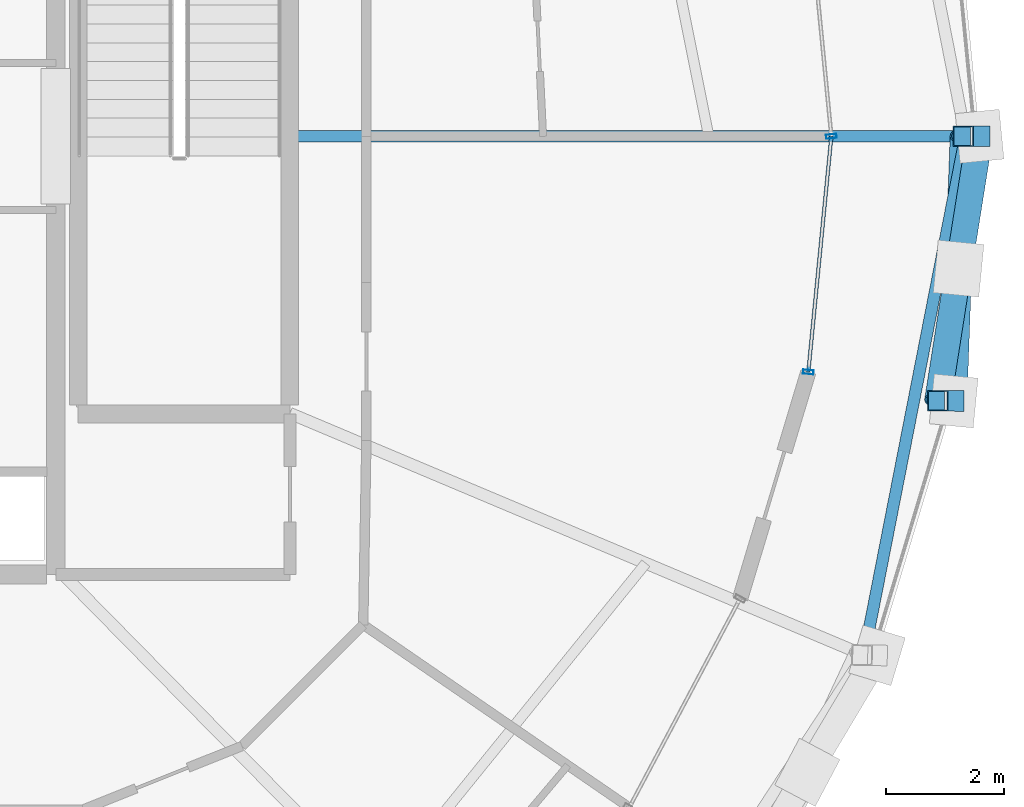
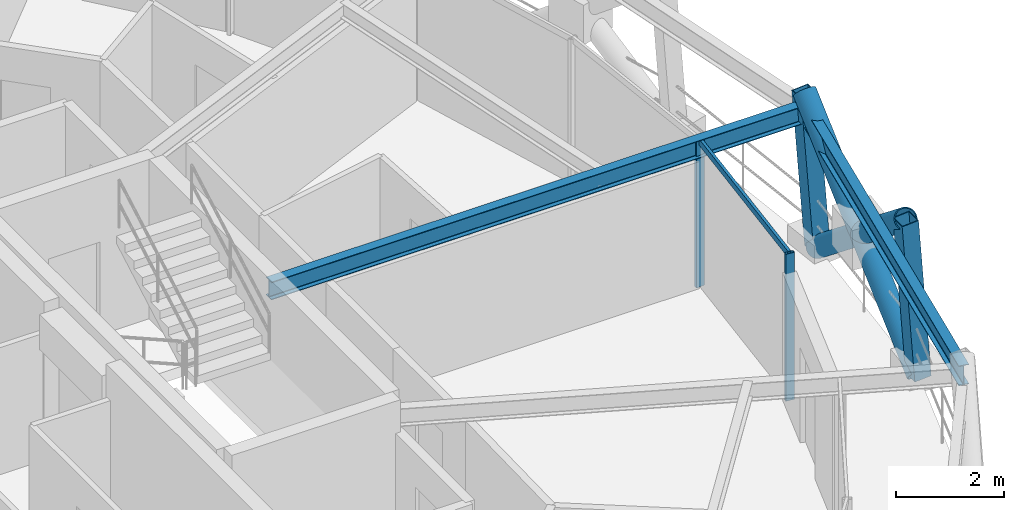
# One storey, part 5 of 15: 8 members, 2 beams, 1 element without a shape of its own.
"""IFC4 building model written with IfcOpenShell, lengths in metres."""

from ifc_helpers import new_model, si_unit, direction, frame, origin, origin_2d, place, context, subcontext, project, spatial, hollow_rectangle, hollow_circle, i_section, extrude, material, layer, layer_set, material_profile, profile_set, type_object, element, aggregate, save


model = new_model("IFC4")

# Units and contexts
model_context = context("Model", 3, precision=1e-05, world=origin(), true_north=direction((0.0, 1.0)))
body_context = subcontext(model_context, "Body", "Model", "MODEL_VIEW")
ifc_project = project(units=[si_unit("LENGTHUNIT", "METRE"), si_unit("AREAUNIT", "SQUARE_METRE"), si_unit("VOLUMEUNIT", "CUBIC_METRE"), si_unit("PLANEANGLEUNIT", "RADIAN"), si_unit("MASSUNIT", "GRAM", prefix="KILO")], contexts=[model_context])

# Site, building, storey
site_placement = place(None, origin())
site = spatial("IfcSite", under=ifc_project, at=site_placement, CompositionType="ELEMENT")
building_placement = place(site_placement, origin())
building = spatial("IfcBuilding", under=site, at=building_placement, Name="Veldorina Hangang Commons", CompositionType="ELEMENT")
storey_placement = place(building_placement, frame((0.0, 0.0, 250.800048828125)))
storey = spatial("IfcBuildingStorey", under=building, at=storey_placement, Name="L65", CompositionType="ELEMENT", Elevation=250.800048828125)

# Beams
ifc_material_1 = material(Name="Steel SM355-TMC", Category="steel")
ifc_material_profile_1 = material_profile(ifc_material_1, i_section(OverallWidth=0.199951171875, OverallDepth=0.39990234375, WebThickness=0.008056640625, FlangeThickness=0.012939453125, FilletRadius=0.012939453125, at=origin_2d()), Name="H-400x200x8x13")
ifc_profile_set_1 = profile_set([ifc_material_profile_1], Name="Steel SM355-TMC")
beam_type_1 = type_object("IfcBeamType", Name="BM-FG400", PredefinedType="BEAM", material=ifc_profile_set_1)
beam_1_placement = place(storey_placement, frame((43.179931640625, 24.0, 3.159912109375), z_axis=(1.0, 0.0, 0.0), x_axis=(0.0, 1.0, 0.0)))
element("IfcBeam", 1, at=beam_1_placement, inside=storey, type_object=beam_type_1, Name="L65 radial floor girder 01", PredefinedType="BEAM", context=body_context, shape_type="SweptSolid", body=[
    extrude(i_section(OverallWidth=0.199951171875, OverallDepth=0.39990234375, WebThickness=0.008056640625, FlangeThickness=0.012939453125, FilletRadius=0.012939453125, at=origin_2d()), origin(), (0.0, 0.0, 1.0), 11.4853515625),
])
ifc_material_profile_2 = material_profile(ifc_material_1, i_section(OverallWidth=0.199951171875, OverallDepth=0.449951171875, WebThickness=0.009033203125, FlangeThickness=0.013916015625, FilletRadius=0.01611328125, at=origin_2d()), Name="H-450x200x9x14")
ifc_profile_set_2 = profile_set([ifc_material_profile_2], Name="Steel SM355-TMC")
beam_type_2 = type_object("IfcBeamType", Name="BM-RB450", PredefinedType="BEAM", material=ifc_profile_set_2)
beam_2_placement = place(storey_placement, frame((52.93994140625, 15.180419921875, 3.135009765625), z_axis=(0.19198714763, 0.981397439952, 0.0), x_axis=(-0.981397439952, 0.19198714763, 0.0)))
element("IfcBeam", 2, at=beam_2_placement, inside=storey, type_object=beam_type_2, Name="L65 perimeter hoop ring beam 30", PredefinedType="BEAM", context=body_context, shape_type="SweptSolid", body=[
    extrude(i_section(OverallWidth=0.199951171875, OverallDepth=0.449951171875, WebThickness=0.009033203125, FlangeThickness=0.013916015625, FilletRadius=0.01611328125, at=origin_2d()), origin(), (0.0, 0.0, 1.0), 8.98681640625),
])

# Curtain wall, members
ifc_material_2 = material(Name="Glass Low-E Selective", Category="glass")
ifc_layer = layer(ifc_material_2, 0.179931640625)
ifc_layer_set = layer_set([ifc_layer], Name="Glass Low-E Selective")
curtain_wall_type = type_object("IfcCurtainWallType", Name="CW-SYS-Z3", PredefinedType="NOTDEFINED", material=ifc_layer_set)
curtain_wall_placement = place(storey_placement, origin())
curtain_wall = element("IfcCurtainWall", 3, at=curtain_wall_placement, inside=storey, type_object=curtain_wall_type, Name="L65 unitised curtain wall CW-L65-R2", PredefinedType="NOTDEFINED")
ifc_material_3 = material(Name="Aluminium Anodized AA6063-T6", Category="aluminium")
ifc_material_profile_3 = material_profile(ifc_material_3, hollow_rectangle(XDim=0.070068359375, YDim=0.179931640625, WallThickness=0.00390625, at=origin_2d()), Name="ALU-RHS-180x70x4")
ifc_profile_set_3 = profile_set([ifc_material_profile_3], Name="Aluminium Anodized AA6063-T6")
member_type_1 = type_object("IfcMemberType", Name="CW-MUL-180", PredefinedType="MULLION", material=ifc_profile_set_3)
member_1_placement = place(storey_placement, frame((51.993408203125, 19.993408203125, 0.0), z_axis=(0.0, 0.0, 1.0), x_axis=(0.097304976039, 0.995254611463, 0.0)))
member_1 = element("IfcMember", 4, at=member_1_placement, type_object=member_type_1, Name="CW-L65-R2 vertical mullion 1", PredefinedType="MULLION", context=body_context, shape_type="SweptSolid", body=[
    extrude(hollow_rectangle(XDim=0.070068359375, YDim=0.179931640625, WallThickness=0.00390625, at=origin_2d()), origin(), (0.0, 0.0, 1.0), 3.320068359375),
])
member_2_placement = place(storey_placement, frame((52.38525390625, 24.0, 0.0), z_axis=(0.0, 0.0, 1.0), x_axis=(-0.097304976039, 0.995254611463, 0.0)))
member_2 = element("IfcMember", 5, at=member_2_placement, type_object=member_type_1, Name="CW-L65-R2 vertical mullion 2", PredefinedType="MULLION", context=body_context, shape_type="SweptSolid", body=[
    extrude(hollow_rectangle(XDim=0.070068359375, YDim=0.179931640625, WallThickness=0.00390625, at=origin_2d()), origin(), (0.0, 0.0, 1.0), 3.320068359375),
])
ifc_material_profile_4 = material_profile(ifc_material_3, hollow_rectangle(XDim=0.06005859375, YDim=0.139892578125, WallThickness=0.00341796875, at=origin_2d()), Name="ALU-RHS-140x60x3.5")
ifc_profile_set_4 = profile_set([ifc_material_profile_4], Name="Aluminium Anodized AA6063-T6")
member_type_2 = type_object("IfcMemberType", Name="CW-TRN-140", PredefinedType="USERDEFINED", material=ifc_profile_set_4)
member_3_placement = place(storey_placement, frame((51.993408203125, 19.993408203125, 3.280029296875), z_axis=(0.097335860355, 0.995251591453, 0.0), x_axis=(-0.995251591453, 0.097335860355, 0.0)))
member_3 = element("IfcMember", 6, at=member_3_placement, type_object=member_type_2, Name="CW-L65-R2 facet 1 transom 1", ObjectType="TRANSOM", PredefinedType="USERDEFINED", context=body_context, shape_type="SweptSolid", body=[
    extrude(hollow_rectangle(XDim=0.06005859375, YDim=0.139892578125, WallThickness=0.00341796875, at=origin_2d()), origin(), (0.0, 0.0, 1.0), 4.025634765625),
])
aggregate(curtain_wall, [member_1, member_2, member_3])

# Members
ifc_material_profile_5 = material_profile(ifc_material_1, hollow_circle(Radius=0.22509765625, WallThickness=0.02197265625, at=origin_2d()), Name="CHS-450x22")
ifc_profile_set_5 = profile_set([ifc_material_profile_5], Name="Steel SM355-TMC")
member_type_3 = type_object("IfcMemberType", Name="DG-CHS450", PredefinedType="BRACE", material=ifc_profile_set_5)
member_4_placement = place(storey_placement, frame((54.465087890625, 19.501708984375, 0.0), z_axis=(0.028549330133, 0.780447192431, 0.624569544227), x_axis=(-0.999331595742, 0.036556281983, 0.0)))
element("IfcMember", 7, at=member_4_placement, inside=storey, type_object=member_type_3, Name="L65 continuous perimeter diagrid brace 31", PredefinedType="BRACE", context=body_context, shape_type="SweptSolid", body=[
    extrude(hollow_circle(Radius=0.22509765625, WallThickness=0.02197265625, at=origin_2d()), origin(), (0.0, 0.0, 1.0), 5.763671875),
])
member_5_placement = place(storey_placement, frame((54.9052734375, 24.0, 0.0), z_axis=(-0.123300472375, -0.77462302222, 0.620287164916), x_axis=(0.987567446504, -0.157195860649, 0.0)))
element("IfcMember", 8, at=member_5_placement, inside=storey, type_object=member_type_3, Name="L65 split perimeter diagrid lower brace 00", PredefinedType="BRACE", context=body_context, shape_type="SweptSolid", body=[
    extrude(hollow_circle(Radius=0.22509765625, WallThickness=0.02197265625, at=origin_2d()), origin(), (0.0, 0.0, 1.0), 2.90283203125),
])
member_6_placement = place(storey_placement, frame((54.54736328125, 21.75146484375, 1.800537109375), z_axis=(-0.121541040245, -0.774866216408, 0.620330655543), x_axis=(0.987920814912, -0.154959554283, 0.0)))
element("IfcMember", 9, at=member_6_placement, inside=storey, type_object=member_type_3, Name="L65 split perimeter diagrid upper brace 00", PredefinedType="BRACE", context=body_context, shape_type="SweptSolid", body=[
    extrude(hollow_circle(Radius=0.22509765625, WallThickness=0.02197265625, at=origin_2d()), origin(), (0.0, 0.0, 1.0), 2.900634765625),
])
ifc_material_profile_6 = material_profile(ifc_material_1, hollow_rectangle(XDim=0.35009765625, YDim=0.35009765625, WallThickness=0.01611328125, at=origin_2d()), Name="SHS-350x350x16")
ifc_profile_set_6 = profile_set([ifc_material_profile_6], Name="Steel SM355-TMC")
member_type_4 = type_object("IfcMemberType", Name="STR-SHS350", PredefinedType="STRUT", material=ifc_profile_set_6)
member_7_placement = place(storey_placement, frame((54.9052734375, 24.0, 0.0), z_axis=(-0.076344861449, 0.0, 0.997081472163), x_axis=(0.0, -1.0, 0.0)))
element("IfcMember", 10, at=member_7_placement, inside=storey, type_object=member_type_4, Name="L65 perimeter ring node post 00", PredefinedType="STRUT", context=body_context, shape_type="SweptSolid", body=[
    extrude(hollow_rectangle(XDim=0.35009765625, YDim=0.35009765625, WallThickness=0.01611328125, at=origin_2d()), origin(), (0.0, 0.0, 1.0), 3.6103515625),
])
member_8_placement = place(storey_placement, frame((54.465087890625, 19.501708984375, 0.0), z_axis=(-0.074865591518, 0.000608663346, 0.997193448001), x_axis=(-0.008129812622, -0.999966952527, 0.0)))
element("IfcMember", 11, at=member_8_placement, inside=storey, type_object=member_type_4, Name="L65 perimeter ring node post 31", PredefinedType="STRUT", context=body_context, shape_type="SweptSolid", body=[
    extrude(hollow_rectangle(XDim=0.35009765625, YDim=0.35009765625, WallThickness=0.01611328125, at=origin_2d()), origin(), (0.0, 0.0, 1.0), 3.60986328125),
])

save(model, "model.ifc")
